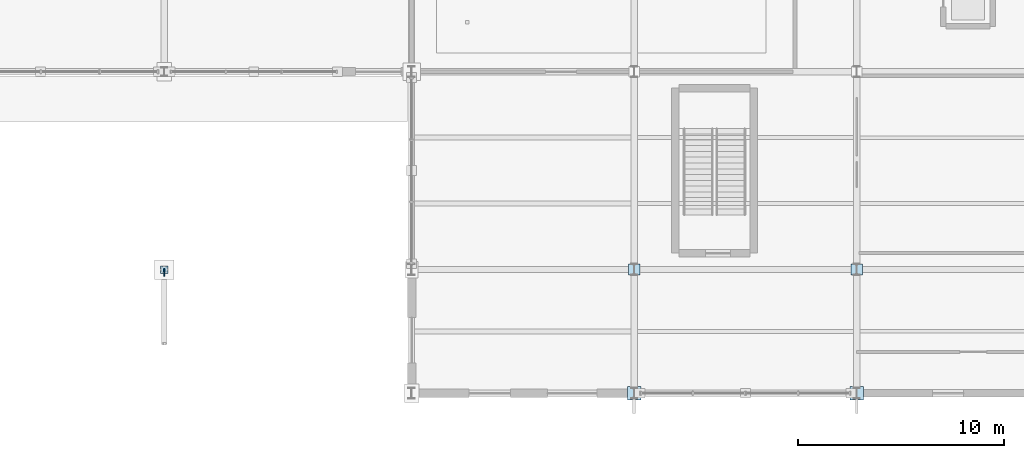
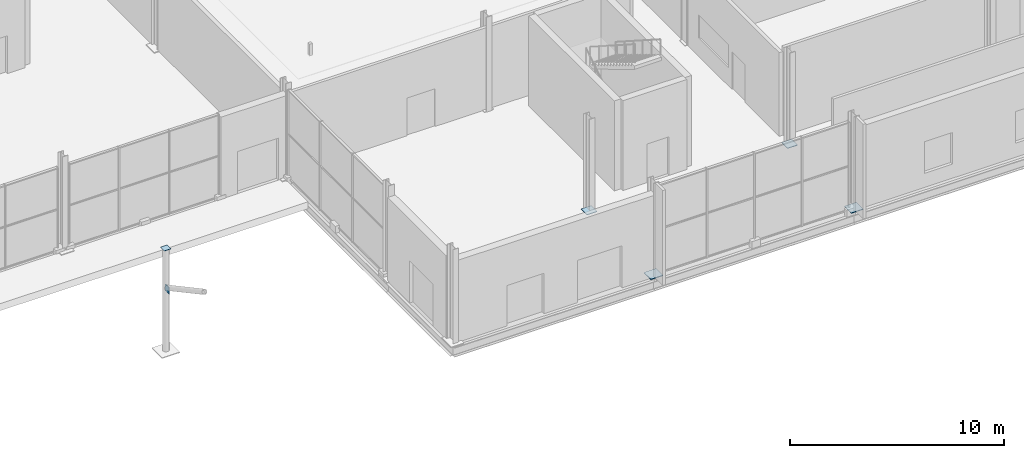
# One storey, part 167 of 196: 6 plates.
"""IFC4 building model written with IfcOpenShell, lengths in metres."""

from ifc_helpers import new_model, si_unit, direction, frame, origin, origin_2d, place, context, subcontext, project, spatial, rectangle, extrude, material, layer, layer_set, type_object, element, save


model = new_model("IFC4")

# Units and contexts
model_context = context("Model", 3, precision=1e-05, world=origin(), true_north=direction((0.0, 1.0)))
body_context = subcontext(model_context, "Body", "Model", "MODEL_VIEW")
ifc_project = project(units=[si_unit("LENGTHUNIT", "METRE"), si_unit("AREAUNIT", "SQUARE_METRE"), si_unit("VOLUMEUNIT", "CUBIC_METRE"), si_unit("PLANEANGLEUNIT", "RADIAN"), si_unit("MASSUNIT", "GRAM", prefix="KILO")], contexts=[model_context])

# Site, building, storey
site_placement = place(None, origin())
site = spatial("IfcSite", under=ifc_project, at=site_placement, CompositionType="ELEMENT")
building_placement = place(site_placement, origin())
building = spatial("IfcBuilding", under=site, at=building_placement, Name="Merenkruunu Market Hall", CompositionType="ELEMENT")
storey_placement = place(building_placement, origin())
storey = spatial("IfcBuildingStorey", under=building, at=storey_placement, Name="L00", CompositionType="ELEMENT", Elevation=0.0)

# Plates
ifc_material = material(Name="Steel S355ML", Category="steel")
ifc_layer_1 = layer(ifc_material, 0.034912109375)
ifc_layer_set_1 = layer_set([ifc_layer_1], Name="Steel S355ML")
plate_type_1 = type_object("IfcPlateType", Name="Column Base Plate BP03", PredefinedType="USERDEFINED", material=ifc_layer_set_1)
for number, where, z_axis, x_axis, name in (
    (1, (159.60009765625, 0.0, 0.0), (0.0, 0.0, 1.0), (1.0, 0.0, 0.0), "PLT-BP-R-01"),
    (2, (170.39990234375, 0.0, 0.0), (0.0, 0.0, 1.0), (1.0, 0.0, 0.0), "PLT-BP-S-01"),
):
    element("IfcPlate", number, at=place(storey_placement, frame(where, z_axis=z_axis, x_axis=x_axis)), inside=storey, type_object=plate_type_1, Name=name, ObjectType="BASE_PLATE", PredefinedType="USERDEFINED", context=body_context, shape_type="SweptSolid", body=[
        extrude(rectangle(XDim=0.64990234375, YDim=0.64990234375, at=origin_2d()), origin(), (0.0, 0.0, 1.0), 0.034912109375),
    ])
ifc_layer_2 = layer(ifc_material, 0.030029296875)
ifc_layer_set_2 = layer_set([ifc_layer_2], Name="Steel S355ML")
plate_type_2 = type_object("IfcPlateType", Name="Column Base Plate BP04", PredefinedType="USERDEFINED", material=ifc_layer_set_2)
for number, where, z_axis, x_axis, name in (
    (3, (159.60009765625, 6.0, 0.0), (0.0, 0.0, 1.0), (1.0, 0.0, 0.0), "PLT-BP-R-02"),
    (4, (170.39990234375, 6.0, 0.0), (0.0, 0.0, 1.0), (1.0, 0.0, 0.0), "PLT-BP-S-02"),
):
    element("IfcPlate", number, at=place(storey_placement, frame(where, z_axis=z_axis, x_axis=x_axis)), inside=storey, type_object=plate_type_2, Name=name, ObjectType="BASE_PLATE", PredefinedType="USERDEFINED", context=body_context, shape_type="SweptSolid", body=[
        extrude(rectangle(XDim=0.550048828125, YDim=0.550048828125, at=origin_2d()), origin(), (0.0, 0.0, 1.0), 0.030029296875),
    ])
ifc_layer_3 = layer(ifc_material, 0.02001953125)
ifc_layer_set_3 = layer_set([ifc_layer_3], Name="Steel S355ML")
plate_type_3 = type_object("IfcPlateType", Name="Truss Gusset Or Cap Plate CP01", PredefinedType="USERDEFINED", material=ifc_layer_set_3)
plate_1_placement = place(storey_placement, frame((136.800048828125, 6.0, 5.837890625), z_axis=(0.0, 0.0, 1.0), x_axis=(1.0, 0.0, 0.0)))
element("IfcPlate", 5, at=plate_1_placement, inside=storey, type_object=plate_type_3, Name="PLT-CAP-054", ObjectType="GUSSET_PLATE", PredefinedType="USERDEFINED", context=body_context, shape_type="SweptSolid", body=[
    extrude(rectangle(XDim=0.360107421875, YDim=0.360107421875, at=origin_2d()), origin(), (0.0, 0.0, 1.0), 0.02001953125),
])
ifc_layer_4 = layer(ifc_material, 0.035888671875)
ifc_layer_set_4 = layer_set([ifc_layer_4], Name="Steel S355ML")
plate_type_4 = type_object("IfcPlateType", Name="Truss Gusset Or Cap Plate CP08", PredefinedType="USERDEFINED", material=ifc_layer_set_4)
plate_2_placement = place(storey_placement, frame((136.800048828125, 5.85009765625, 3.41015625), z_axis=(0.0, 0.0, 1.0), x_axis=(1.0, 0.0, 0.0)))
element("IfcPlate", 6, at=plate_2_placement, inside=storey, type_object=plate_type_4, Name="PLT-V6-STRUT-137-A", ObjectType="GUSSET_PLATE", PredefinedType="USERDEFINED", context=body_context, shape_type="SweptSolid", body=[
    extrude(rectangle(XDim=0.035888671875, YDim=0.360107421875, at=origin_2d()), origin(), (0.0, 0.0, 1.0), 0.3798828125),
])

save(model, "model.ifc")
